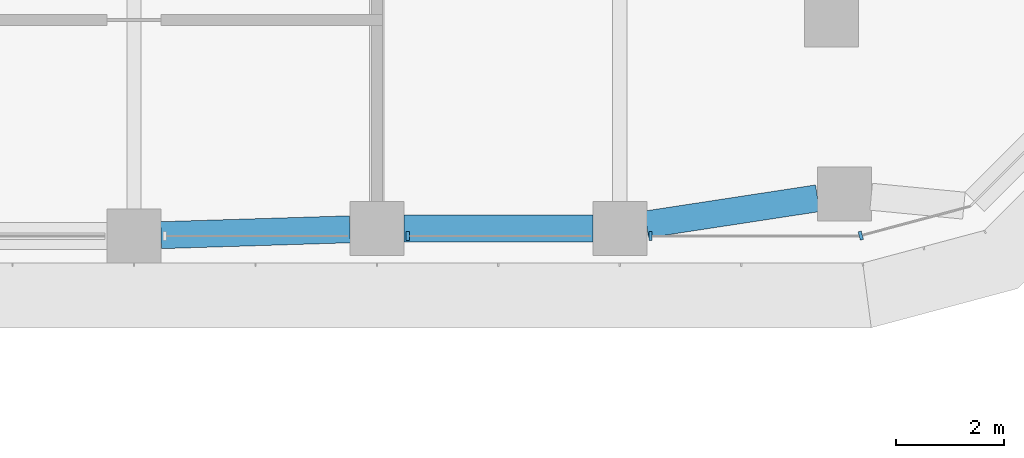
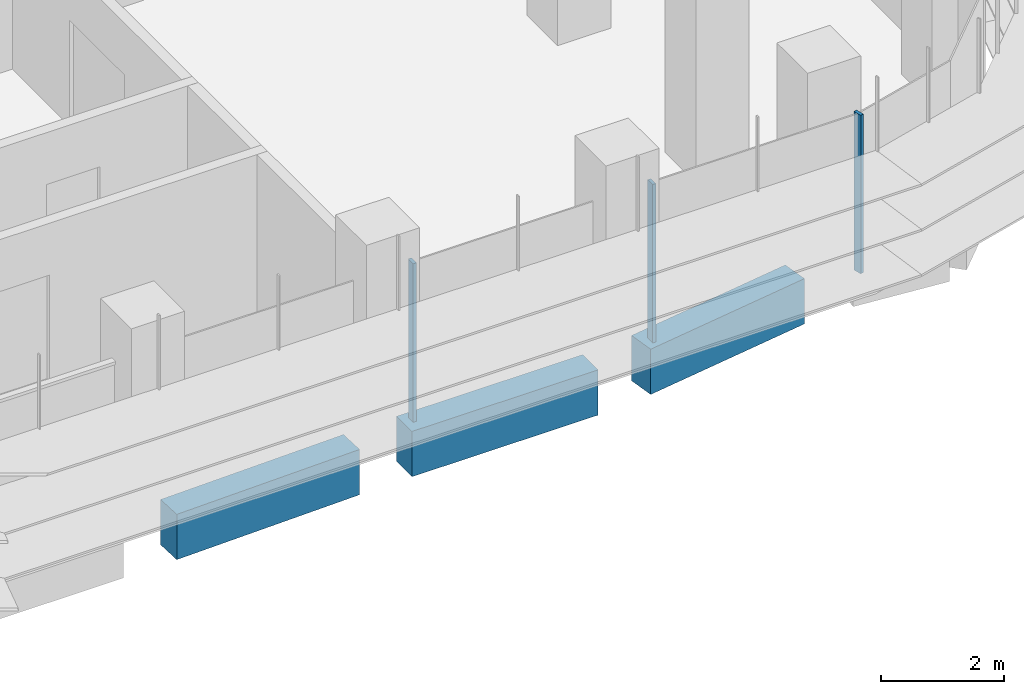
# One storey, part 5 of 23: 3 beams, 3 members, 2 elements without a shape of their own.
"""IFC4 building model written with IfcOpenShell, lengths in metres."""

import ifcopenshell
import ifcopenshell.guid

model = None  # the IFC model being written
_history = None  # IfcOwnerHistory: only IFC2X3 demands one
_inside = {}  # id of a spatial element -> (the spatial element, [elements in it])
_under = {}  # id of a project, library or spatial element -> (it, [spatial elements below it])
_declared = {}  # id of a project -> (the project, [libraries it declares])
_typed = {}  # id of a type object -> (the type object, [elements of that type])
_made_of = {}  # id of a material, layer set ... -> (it, [elements and type objects made of it])


def new_model(schema):
    """Start an empty IFC model of exactly this schema.

    Asked for "IFC4X3", IfcOpenShell would pick the latest addendum, in which some entities
    have other attributes; the version numbers below select the first issue.
    IFC2X3 requires an IfcOwnerHistory on every rooted entity: one is made here for all.
    """
    global model, _history
    if schema == "IFC4X3":
        model = ifcopenshell.file(schema_version=(4, 3, 0, 0))
    else:
        model = ifcopenshell.file(schema=schema)
    _inside.clear()
    _under.clear()
    _declared.clear()
    _typed.clear()
    _made_of.clear()
    _history = None
    if model.schema == "IFC2X3":
        org = make("IfcOrganization", Name="unknown")
        user = make(
            "IfcPersonAndOrganization",
            ThePerson=make("IfcPerson", FamilyName="unknown"),
            TheOrganization=org,
        )
        app = make(
            "IfcApplication",
            ApplicationDeveloper=org,
            Version="unknown",
            ApplicationFullName="unknown",
            ApplicationIdentifier="unknown",
        )
        _history = make(
            "IfcOwnerHistory",
            OwningUser=user,
            OwningApplication=app,
            ChangeAction="ADDED",
            CreationDate=0,
        )
    return model


def make(cls, **values):
    """One entity of the class cls with the attributes given. An attribute that is None is left unset."""
    return model.create_entity(
        cls, **{name: value for name, value in values.items() if value is not None}
    )


def rooted(cls, **values):
    """An entity with a GlobalId (a new one), such as an element, a storey or a relation."""
    return make(cls, GlobalId=ifcopenshell.guid.new(), OwnerHistory=_history, **values)


def si_unit(unit_type, name, prefix=None):
    """IfcSIUnit, for example si_unit("LENGTHUNIT", "METRE", prefix="MILLI")."""
    return make("IfcSIUnit", UnitType=unit_type, Prefix=prefix, Name=name)


def assignment(units):
    """IfcUnitAssignment: the units of a project."""
    return None if units is None else make("IfcUnitAssignment", Units=units)


def point(xyz):
    """IfcCartesianPoint."""
    return None if xyz is None else make("IfcCartesianPoint", Coordinates=xyz)


def direction(xyz):
    """IfcDirection."""
    return None if xyz is None else make("IfcDirection", DirectionRatios=xyz)


def frame(location, z_axis=None, x_axis=None):
    """IfcAxis2Placement3D, a coordinate frame: its origin and axes. An axis left out is left unset."""
    return make(
        "IfcAxis2Placement3D",
        Location=point(location),
        Axis=direction(z_axis),
        RefDirection=direction(x_axis),
    )


def frame_2d(location, x_axis=None):
    """IfcAxis2Placement2D, a coordinate frame in the plane: its origin and x axis."""
    return make(
        "IfcAxis2Placement2D", Location=point(location), RefDirection=direction(x_axis)
    )


def origin():
    """The frame at (0, 0, 0) with its axes left unset."""
    return frame((0.0, 0.0, 0.0))


def origin_2d():
    """The frame at (0, 0) in the plane with its x axis left unset."""
    return frame_2d((0.0, 0.0))


def place(relative_to, where):
    """IfcLocalPlacement: puts the frame where relative to a parent placement (None: the world)."""
    return make(
        "IfcLocalPlacement", PlacementRelTo=relative_to, RelativePlacement=where
    )


def context(
    kind, dimensions, precision=None, world=None, true_north=None, identifier=None
):
    """IfcGeometricRepresentationContext, for example the 3D "Model" context."""
    return make(
        "IfcGeometricRepresentationContext",
        ContextIdentifier=identifier,
        ContextType=kind,
        CoordinateSpaceDimension=dimensions,
        Precision=precision,
        WorldCoordinateSystem=world,
        TrueNorth=true_north,
    )


def subcontext(parent, identifier, kind, view, scale=None):
    """IfcGeometricRepresentationSubContext, for example "Body" below "Model"."""
    return make(
        "IfcGeometricRepresentationSubContext",
        ContextIdentifier=identifier,
        ContextType=kind,
        ParentContext=parent,
        TargetScale=scale,
        TargetView=view,
    )


def project(units=None, contexts=None):
    """IfcProject with its units and contexts."""
    return rooted(
        "IfcProject",
        Name="project",
        RepresentationContexts=contexts,
        UnitsInContext=assignment(units),
    )


def spatial(cls, under=None, at=None, **own):
    """A site, building, storey or space (cls), placed at a placement, below another one or the project."""
    s = rooted(cls, ObjectPlacement=at, **own)
    if under is not None:
        _under.setdefault(under.id(), (under, []))[1].append(s)
    return s


def polyline(points):
    """IfcPolyline through the points."""
    return make("IfcPolyline", Points=[point(p) for p in points])


def profile(cls, at=None, kind="AREA", **sizes):
    """A parametric profile (cls). Its sizes go by their IFC names, for example OverallWidth=200.0."""
    return make(cls, ProfileType=kind, Position=at, **sizes)


def rectangle(**sizes):
    """IfcRectangleProfileDef."""
    return profile("IfcRectangleProfileDef", **sizes)


def outline(outer, holes=None, kind="AREA"):
    """IfcArbitraryClosedProfileDef: a profile drawn as a closed curve; with holes, ...WithVoids."""
    if holes is None:
        return make("IfcArbitraryClosedProfileDef", ProfileType=kind, OuterCurve=outer)
    return make(
        "IfcArbitraryProfileDefWithVoids",
        ProfileType=kind,
        OuterCurve=outer,
        InnerCurves=holes,
    )


def extrude(swept, where, along, depth):
    """IfcExtrudedAreaSolid: the profile swept, set in the frame where, extruded along a direction by depth."""
    return make(
        "IfcExtrudedAreaSolid",
        SweptArea=swept,
        Position=where,
        ExtrudedDirection=direction(along),
        Depth=depth,
    )


def shape(context_of_items, identifier, shape_type, items):
    """IfcShapeRepresentation: the items that make up one representation, for example the "Body"."""
    return make(
        "IfcShapeRepresentation",
        ContextOfItems=context_of_items,
        RepresentationIdentifier=identifier,
        RepresentationType=shape_type,
        Items=items,
    )


def source(mapping_origin, context_of_items, identifier, shape_type, items):
    """IfcRepresentationMap: a shape defined once, which mapped items show again and again."""
    return make(
        "IfcRepresentationMap",
        MappingOrigin=mapping_origin,
        MappedRepresentation=shape(context_of_items, identifier, shape_type, items),
    )


def transform(
    local_origin,
    x_axis=None,
    y_axis=None,
    z_axis=None,
    scale=None,
    scale2=None,
    scale3=None,
    uniform=True,
):
    """IfcCartesianTransformationOperator3D, or its non-uniform kind. x_axis, y_axis, z_axis: its Axis1, 2, 3."""
    if uniform:
        return make(
            "IfcCartesianTransformationOperator3D",
            Axis1=direction(x_axis),
            Axis2=direction(y_axis),
            LocalOrigin=point(local_origin),
            Scale=scale,
            Axis3=direction(z_axis),
        )
    return make(
        "IfcCartesianTransformationOperator3DnonUniform",
        Axis1=direction(x_axis),
        Axis2=direction(y_axis),
        LocalOrigin=point(local_origin),
        Scale=scale,
        Axis3=direction(z_axis),
        Scale2=scale2,
        Scale3=scale3,
    )


def mapped(mapping_source, mapping_target):
    """IfcMappedItem: shows the shape of a source again, moved by a transform."""
    return make(
        "IfcMappedItem", MappingSource=mapping_source, MappingTarget=mapping_target
    )


def material(Name=None, Category=None):
    """IfcMaterial."""
    return make("IfcMaterial", Name=Name, Category=Category)


def material_profile(
    of_material, cross_section, Name=None, Category=None, Priority=None
):
    """IfcMaterialProfile: a cross section and its material."""
    return make(
        "IfcMaterialProfile",
        Name=Name,
        Material=of_material,
        Profile=cross_section,
        Priority=Priority,
        Category=Category,
    )


def profile_set(profiles, Name=None, composite=None):
    """IfcMaterialProfileSet."""
    return make(
        "IfcMaterialProfileSet",
        Name=Name,
        MaterialProfiles=profiles,
        CompositeProfile=composite,
    )


def made_of(thing, what):
    """Note that an element or type object is made of a material, layer set ...; save() writes the relation."""
    if what is not None:
        _made_of.setdefault(what.id(), (what, []))[1].append(thing)
    return thing


def type_object(cls, material=None, **own):
    """A type object (cls), such as IfcWallType, which elements share."""
    return made_of(rooted(cls, **own), material)


def element(
    cls,
    number,
    at=None,
    inside=None,
    cuts=None,
    type_object=None,
    material=None,
    context=None,
    identifier="Body",
    shape_type=None,
    held_by="IfcProductDefinitionShape",
    body=None,
    shapes=None,
    **own,
):
    """One element of the class cls, such as IfcWall. Its Tag is "e" and its number.

    at: its placement. inside: the storey or other place that contains it. cuts: it is an
    opening in that element (IfcRelVoidsElement). A single representation is given by context,
    identifier, shape_type and body (its items); several are given by shapes. held_by: the class
    of the entity that holds the representations. save() writes the other relations.
    """
    e = rooted(cls, Tag="e%d" % number, ObjectPlacement=at, **own)
    if body is not None:
        shapes = [shape(context, identifier, shape_type, body)]
    if shapes is not None:
        e.Representation = make(held_by, Representations=shapes)
    if inside is not None:
        _inside.setdefault(inside.id(), (inside, []))[1].append(e)
    if cuts is not None:
        rooted(
            "IfcRelVoidsElement", RelatingBuildingElement=cuts, RelatedOpeningElement=e
        )
    if type_object is not None:
        _typed.setdefault(type_object.id(), (type_object, []))[1].append(e)
    return made_of(e, material)


def aggregate(whole, parts):
    """IfcRelAggregates: a whole, such as a stair, and the parts it consists of."""
    return rooted("IfcRelAggregates", RelatingObject=whole, RelatedObjects=parts)


def save(model, path):
    """Write the relations noted so far, then the file.

    IfcRelAggregates (storeys below a building ...), IfcRelContainedInSpatialStructure (elements
    in a storey), IfcRelDefinesByType, IfcRelAssociatesMaterial and IfcRelDeclares: one each for
    every whole, place, type object, material and project.
    """
    for whole, parts in _under.values():
        aggregate(whole, parts)
    for where, things in _inside.values():
        rooted(
            "IfcRelContainedInSpatialStructure",
            RelatedElements=things,
            RelatingStructure=where,
        )
    for kind, things in _typed.values():
        rooted("IfcRelDefinesByType", RelatedObjects=things, RelatingType=kind)
    for what, things in _made_of.values():
        rooted("IfcRelAssociatesMaterial", RelatedObjects=things, RelatingMaterial=what)
    for by, libraries in _declared.values():
        rooted("IfcRelDeclares", RelatingContext=by, RelatedDefinitions=libraries)
    model.write(path)


model = new_model("IFC4")

# Units and contexts
model_context = context("Model", 3, precision=1e-05, world=origin(), true_north=direction((0.0, 1.0)))
body_context = subcontext(model_context, "Body", "Model", "MODEL_VIEW")
ifc_project = project(units=[si_unit("LENGTHUNIT", "METRE"), si_unit("AREAUNIT", "SQUARE_METRE"), si_unit("VOLUMEUNIT", "CUBIC_METRE"), si_unit("PLANEANGLEUNIT", "RADIAN"), si_unit("MASSUNIT", "GRAM", prefix="KILO")], contexts=[model_context])

# Site, building, storey
site_placement = place(None, origin())
site = spatial("IfcSite", under=ifc_project, at=site_placement, CompositionType="ELEMENT")
building_placement = place(site_placement, origin())
building = spatial("IfcBuilding", under=site, at=building_placement, Name="Zarbagh Exchange Tower", CompositionType="ELEMENT")
storey_placement = place(building_placement, frame((0.0, 0.0, 77.39990234375)))
storey = spatial("IfcBuildingStorey", under=building, at=storey_placement, Name="L17", CompositionType="ELEMENT", Elevation=77.39990234375)

# Beams
ifc_material_1 = material(Name="Concrete C60/75", Category="concrete")
ifc_material_profile = material_profile(ifc_material_1, rectangle(XDim=0.5, YDim=0.89990234375, at=origin_2d()), Name="RC spandrel beam 500 x 900 C60/75")
ifc_profile_set = profile_set([ifc_material_profile], Name="Concrete C60/75")
beam_type = type_object("IfcBeamType", Name="RC spandrel beam 500 x 900 C60/75", PredefinedType="SPANDREL", material=ifc_profile_set)
beam_1_placement = place(storey_placement, frame((28.413818359375, -5.550537109375, -0.599853515625), z_axis=(-0.988545350976, -0.150924116903, 0.0), x_axis=(0.150924116903, -0.988545350976, 0.0)))
element("IfcBeam", 1, at=beam_1_placement, inside=storey, type_object=beam_type, Name="RC spandrel beam", PredefinedType="SPANDREL", context=body_context, shape_type="SweptSolid", body=[
    extrude(rectangle(XDim=0.5, YDim=0.89990234375, at=origin_2d()), origin(), (0.0, 0.0, 1.0), 3.2060546875),
])
beam_2_placement = place(storey_placement, frame((24.25, -6.110107421875, -0.599853515625), z_axis=(-1.0, 0.0, 0.0), x_axis=(0.0, -1.0, 0.0)))
element("IfcBeam", 2, at=beam_2_placement, inside=storey, type_object=beam_type, Name="RC spandrel beam", PredefinedType="SPANDREL", context=body_context, shape_type="SweptSolid", body=[
    extrude(rectangle(XDim=0.5, YDim=0.89990234375, at=origin_2d()), origin(), (0.0, 0.0, 1.0), 3.5),
])
beam_3_placement = place(storey_placement, frame((19.750244140625, -6.12548828125, -0.599853515625), z_axis=(-0.999514385708, -0.031160756759, 0.0), x_axis=(0.031160756759, -0.999514385708, 0.0)))
element("IfcBeam", 3, at=beam_3_placement, inside=storey, type_object=beam_type, Name="RC spandrel beam", PredefinedType="SPANDREL", context=body_context, shape_type="SweptSolid", body=[
    extrude(rectangle(XDim=0.5, YDim=0.89990234375, at=origin_2d()), origin(), (0.0, 0.0, 1.0), 3.502197265625),
])

# Curtain wall, members
ifc_material_2 = material(Name="Anodised aluminium frame and glazing", Category="aluminium")
curtain_wall_type = type_object("IfcCurtainWallType", Name="CWA Ribbon glazing, lower zones", PredefinedType="NOTDEFINED", material=ifc_material_2)
curtain_wall_1_placement = place(storey_placement, origin())
curtain_wall_1 = element("IfcCurtainWall", 4, at=curtain_wall_1_placement, inside=storey, type_object=curtain_wall_type, Name="CWA08 curtain wall", PredefinedType="NOTDEFINED")
ifc_material_3 = material(Name="Anodised aluminium frame", Category="aluminium")
member_type = type_object("IfcMemberType", Name="MUA Mullion, anodised aluminium frame", PredefinedType="MULLION", material=ifc_material_3)
shared_shape = source(origin(), body_context, "Body", "SweptSolid", [
    extrude(outline(polyline([(0.0, -0.080078125), (0.06005859375, -0.080078125), (0.06005859375, 0.080078125), (0.0, 0.080078125), (0.0, -0.080078125)])), origin(), (0.0, 0.0, 1.0), 3.14990234375),
])
placement = place(storey_placement, origin())
member_1 = element("IfcMember", 5, at=placement, type_object=member_type, Name="CWA08 mullion 3.1", PredefinedType="MULLION", context=body_context, shape_type="MappedRepresentation", body=[
    mapped(shared_shape, transform((20.7900390625, -6.25, 0.0), x_axis=(1.0, 0.0, 0.0), y_axis=(0.0, 1.0, 0.0), z_axis=(0.0, 0.0, 1.0))),
])
member_2 = element("IfcMember", 6, at=placement, type_object=member_type, Name="CWA08 mullion 4.1", PredefinedType="MULLION", context=body_context, shape_type="MappedRepresentation", body=[
    mapped(shared_shape, transform((25.2900390625, -6.25, 0.0), x_axis=(1.0, 0.0, 0.0), y_axis=(0.0, 1.0, 0.0), z_axis=(0.0, 0.0, 1.0))),
])
aggregate(curtain_wall_1, [member_1, member_2])

# Curtain wall, member
curtain_wall_2_placement = place(storey_placement, origin())
curtain_wall_2 = element("IfcCurtainWall", 7, at=curtain_wall_2_placement, inside=storey, type_object=curtain_wall_type, Name="CWA09 curtain wall", PredefinedType="NOTDEFINED")
member_3 = element("IfcMember", 8, at=placement, type_object=member_type, Name="CWA09 mullion 1.1", PredefinedType="MULLION", context=body_context, shape_type="MappedRepresentation", body=[
    mapped(shared_shape, transform((29.18408203125, -6.25, 0.0), x_axis=(0.965924289636, 0.258824779902, 0.0), y_axis=(-0.258824779902, 0.965924289636, 0.0), z_axis=(0.0, 0.0, 1.0))),
])
aggregate(curtain_wall_2, [member_3])

save(model, "model.ifc")
